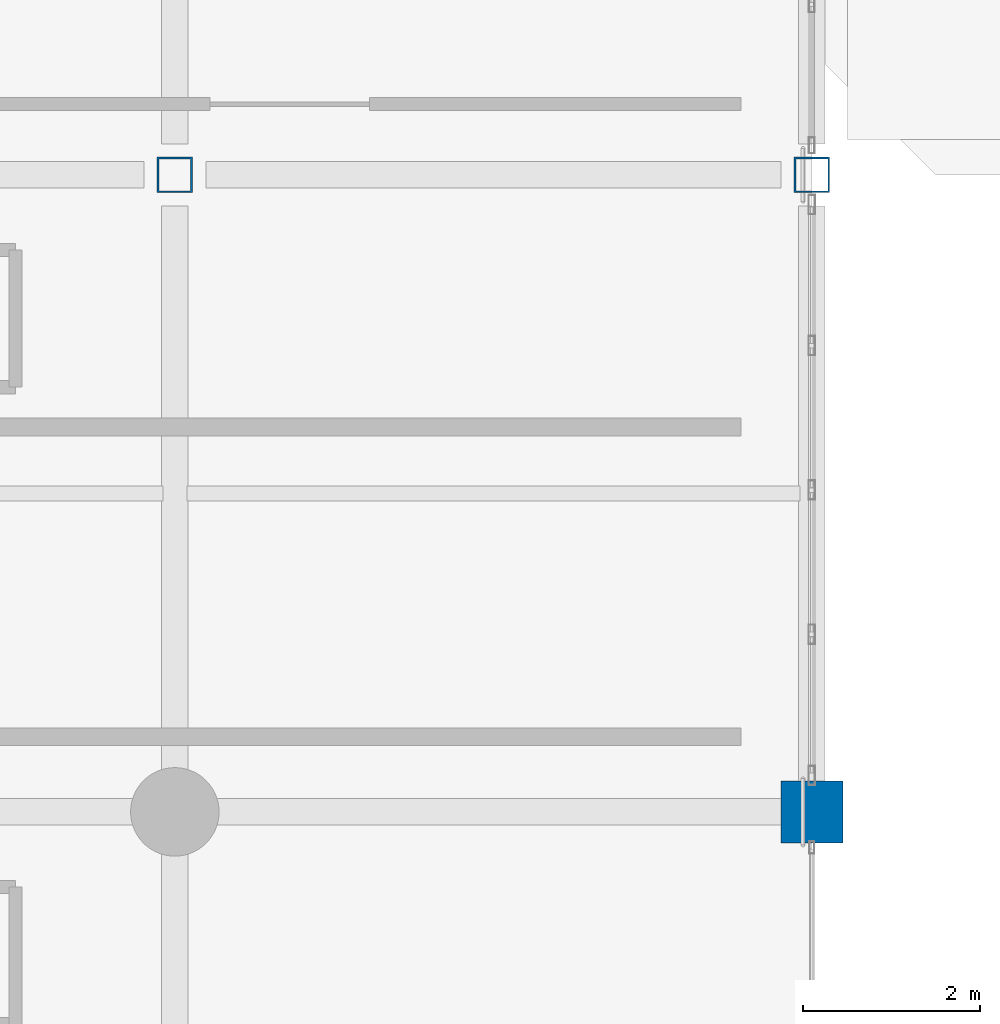
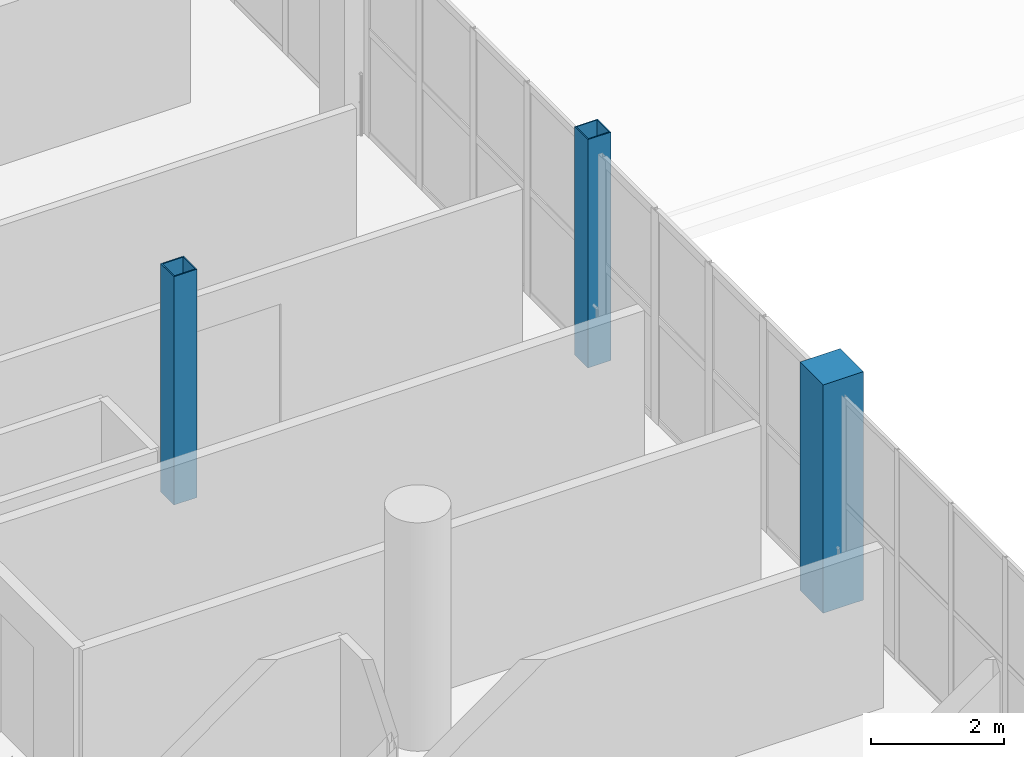
# One storey, part 12 of 130: 3 columns.
"""IFC4 building model written with IfcOpenShell, lengths in metres."""

from ifc_helpers import new_model, si_unit, direction, frame, origin, origin_2d, place, context, subcontext, project, spatial, rectangle, hollow_rectangle, extrude, material, material_profile, profile_set, type_object, element, save


model = new_model("IFC4")

# Units and contexts
model_context = context("Model", 3, precision=1e-05, world=origin(), true_north=direction((0.0, 1.0)))
body_context = subcontext(model_context, "Body", "Model", "MODEL_VIEW")
ifc_project = project(units=[si_unit("LENGTHUNIT", "METRE"), si_unit("AREAUNIT", "SQUARE_METRE"), si_unit("VOLUMEUNIT", "CUBIC_METRE"), si_unit("PLANEANGLEUNIT", "RADIAN"), si_unit("MASSUNIT", "GRAM", prefix="KILO")], contexts=[model_context])

# Site, building, storey
site_placement = place(None, origin())
site = spatial("IfcSite", under=ifc_project, at=site_placement, CompositionType="ELEMENT")
building_placement = place(site_placement, origin())
building = spatial("IfcBuilding", under=site, at=building_placement, Name="Qandorah Velis Arena", CompositionType="ELEMENT")
storey_placement = place(building_placement, frame((0.0, 0.0, 9.60009765625)))
storey = spatial("IfcBuildingStorey", under=building, at=storey_placement, Name="L02", CompositionType="ELEMENT", Elevation=9.60009765625)

# Columns
ifc_material_1 = material(Name="Concrete C40/50", Category="concrete")
ifc_material_profile_1 = material_profile(ifc_material_1, rectangle(XDim=0.699951171875, YDim=0.699951171875, at=origin_2d()), Name="RC COL 700x700")
ifc_profile_set_1 = profile_set([ifc_material_profile_1], Name="Concrete C40/50")
column_type_1 = type_object("IfcColumnType", Name="STR-COL-RC700", PredefinedType="COLUMN", material=ifc_profile_set_1)
column_placement = place(storey_placement, frame((122.39990234375, 86.39990234375, 0.0), z_axis=(0.0, 0.0, 1.0), x_axis=(1.0, 0.0, 0.0)))
element("IfcColumn", 1, at=column_placement, inside=storey, type_object=column_type_1, Name="Structural column L02-190", PredefinedType="COLUMN", context=body_context, shape_type="SweptSolid", body=[
    extrude(rectangle(XDim=0.699951171875, YDim=0.699951171875, at=origin_2d()), origin(), (0.0, 0.0, 1.0), 4.199951171875),
])
ifc_material_2 = material(Name="Steel S355", Category="steel")
ifc_material_profile_2 = material_profile(ifc_material_2, hollow_rectangle(XDim=0.39990234375, YDim=0.39990234375, WallThickness=0.02001953125, at=origin_2d()), Name="SHS 400x400x20")
ifc_profile_set_2 = profile_set([ifc_material_profile_2], Name="Steel S355")
column_type_2 = type_object("IfcColumnType", Name="STR-COL-SHS400", PredefinedType="COLUMN", material=ifc_profile_set_2)
for number, where, z_axis, x_axis, name in (
    (2, (115.199951171875, 93.60009765625, 0.0), (0.0, 0.0, 1.0), (1.0, 0.0, 0.0), "Structural column L02-179"),
    (3, (122.39990234375, 93.60009765625, 0.0), (0.0, 0.0, 1.0), (1.0, 0.0, 0.0), "Structural column L02-191"),
):
    element("IfcColumn", number, at=place(storey_placement, frame(where, z_axis=z_axis, x_axis=x_axis)), inside=storey, type_object=column_type_2, Name=name, PredefinedType="COLUMN", context=body_context, shape_type="SweptSolid", body=[
        extrude(hollow_rectangle(XDim=0.39990234375, YDim=0.39990234375, WallThickness=0.02001953125, at=origin_2d()), origin(), (0.0, 0.0, 1.0), 4.199951171875),
    ])

save(model, "model.ifc")
